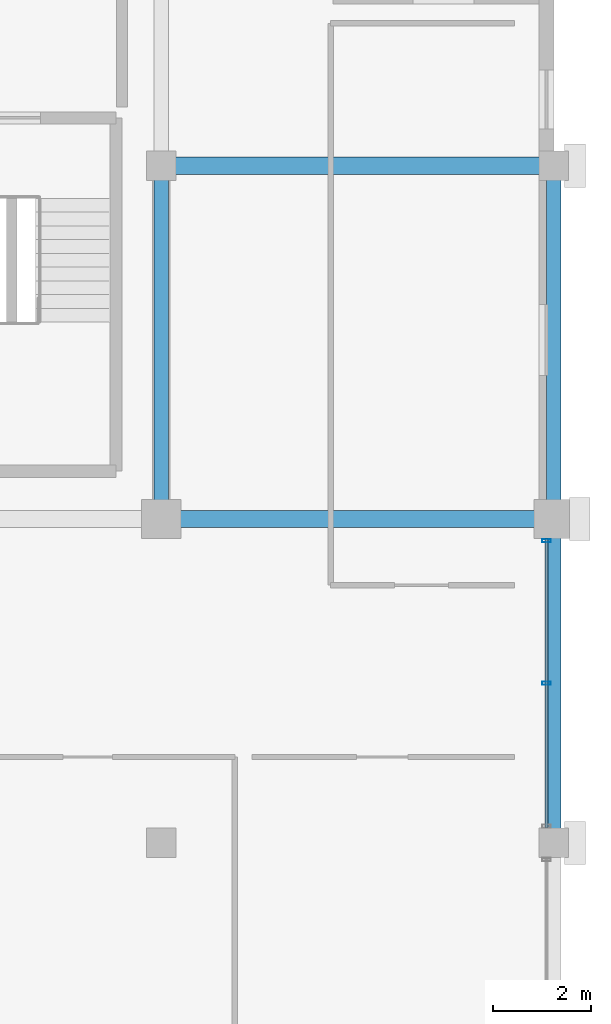
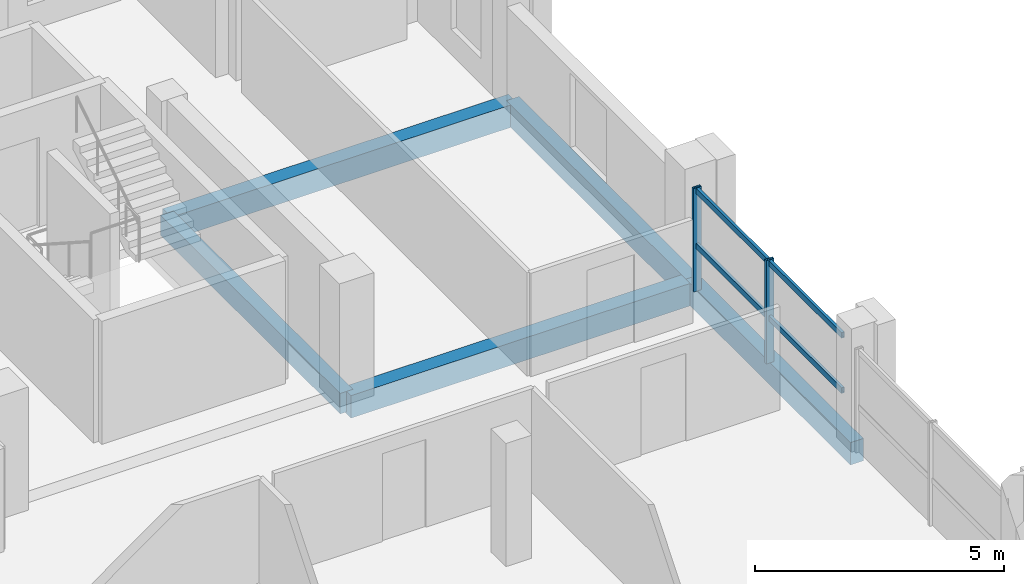
# One storey, part 13 of 24: 5 beams, 4 members, 1 element without a shape of its own.
"""IFC4 building model written with IfcOpenShell, lengths in metres."""

from ifc_helpers import new_model, si_unit, direction, frame, origin, origin_2d, place, context, subcontext, project, spatial, rectangle, hollow_rectangle, extrude, material, material_profile, profile_set, type_object, element, aggregate, save


model = new_model("IFC4")

# Units and contexts
model_context = context("Model", 3, precision=1e-05, world=origin(), true_north=direction((0.0, 1.0)))
body_context = subcontext(model_context, "Body", "Model", "MODEL_VIEW")
ifc_project = project(units=[si_unit("LENGTHUNIT", "METRE"), si_unit("AREAUNIT", "SQUARE_METRE"), si_unit("VOLUMEUNIT", "CUBIC_METRE"), si_unit("PLANEANGLEUNIT", "RADIAN"), si_unit("MASSUNIT", "GRAM", prefix="KILO")], contexts=[model_context])

# Site, building, storey
site_placement = place(None, origin())
site = spatial("IfcSite", under=ifc_project, at=site_placement, CompositionType="ELEMENT")
building_placement = place(site_placement, origin())
building = spatial("IfcBuilding", under=site, at=building_placement, Name="Akrevak Sports Hall", CompositionType="ELEMENT")
storey_placement = place(building_placement, frame((0.0, 0.0, 63.300048828125)))
storey = spatial("IfcBuildingStorey", under=building, at=storey_placement, Name="L16", CompositionType="ELEMENT", Elevation=63.300048828125)

# Curtain wall, members
ifc_material_1 = material(Name="Anodized Bronze Aluminium & Low-E Glass", Category="aluminium")
curtain_wall_type = type_object("IfcCurtainWallType", Name="ARC-CW-TWR-72x30", PredefinedType="NOTDEFINED", material=ifc_material_1)
curtain_wall_placement = place(storey_placement, origin())
curtain_wall = element("IfcCurtainWall", 1, at=curtain_wall_placement, inside=storey, type_object=curtain_wall_type, Name="Curtain Wall CW-L16-E12", PredefinedType="NOTDEFINED")
ifc_material_2 = material(Name="Anodized Bronze Aluminium", Category="aluminium")
ifc_material_profile_1 = material_profile(ifc_material_2, hollow_rectangle(XDim=0.06494140625, YDim=0.179931640625, WallThickness=0.00390625, at=origin_2d()), Name="CWM 65x180", Category="aluminium")
ifc_profile_set_1 = profile_set([ifc_material_profile_1], Name="Anodized Bronze Aluminium")
member_type_1 = type_object("IfcMemberType", Name="ARC-CWM-65x140", PredefinedType="MULLION", material=ifc_profile_set_1)
member_1_placement = place(storey_placement, frame((107.85009765625, 51.85009765625, 0.0), z_axis=(0.0, 0.0, 1.0), x_axis=(0.0, 1.0, 0.0)))
member_1 = element("IfcMember", 2, at=member_1_placement, type_object=member_type_1, Name="Curtain Wall Mullion CW-L16-E12-M2", PredefinedType="MULLION", context=body_context, shape_type="SweptSolid", body=[
    extrude(hollow_rectangle(XDim=0.06494140625, YDim=0.179931640625, WallThickness=0.00390625, at=origin_2d()), origin(), (0.0, 0.0, 1.0), 2.530029296875),
])
member_2_placement = place(storey_placement, frame((107.85009765625, 54.760009765625, 0.0), z_axis=(0.0, 0.0, 1.0), x_axis=(0.0, 1.0, 0.0)))
member_2 = element("IfcMember", 3, at=member_2_placement, type_object=member_type_1, Name="Curtain Wall Mullion CW-L16-E12-M3", PredefinedType="MULLION", context=body_context, shape_type="SweptSolid", body=[
    extrude(hollow_rectangle(XDim=0.06494140625, YDim=0.179931640625, WallThickness=0.00390625, at=origin_2d()), origin(), (0.0, 0.0, 1.0), 2.530029296875),
])
ifc_material_profile_2 = material_profile(ifc_material_2, hollow_rectangle(XDim=0.06494140625, YDim=0.139892578125, WallThickness=0.00390625, at=origin_2d()), Name="CWT 65x140", Category="aluminium")
ifc_profile_set_2 = profile_set([ifc_material_profile_2], Name="Anodized Bronze Aluminium")
member_type_2 = type_object("IfcMemberType", Name="ARC-CWT-65x110", PredefinedType="USERDEFINED", material=ifc_profile_set_2)
member_3_placement = place(storey_placement, frame((107.85009765625, 48.89990234375, 1.099853515625), z_axis=(0.0, 1.0, 0.0), x_axis=(-1.0, 0.0, 0.0)))
member_3 = element("IfcMember", 4, at=member_3_placement, type_object=member_type_2, Name="Curtain Wall Transom CW-L16-E12-T1", ObjectType="TRANSOM", PredefinedType="USERDEFINED", context=body_context, shape_type="SweptSolid", body=[
    extrude(hollow_rectangle(XDim=0.06494140625, YDim=0.139892578125, WallThickness=0.00390625, at=origin_2d()), origin(), (0.0, 0.0, 1.0), 5.900146484375),
])
member_4_placement = place(storey_placement, frame((107.85009765625, 48.89990234375, 2.449951171875), z_axis=(0.0, 1.0, 0.0), x_axis=(-1.0, 0.0, 0.0)))
member_4 = element("IfcMember", 5, at=member_4_placement, type_object=member_type_2, Name="Curtain Wall Transom CW-L16-E12-T2", ObjectType="TRANSOM", PredefinedType="USERDEFINED", context=body_context, shape_type="SweptSolid", body=[
    extrude(hollow_rectangle(XDim=0.06494140625, YDim=0.139892578125, WallThickness=0.00390625, at=origin_2d()), origin(), (0.0, 0.0, 1.0), 5.900146484375),
])
aggregate(curtain_wall, [member_1, member_2, member_3, member_4])

# Beams
ifc_material_3 = material(Name="Concrete C40/50", Category="concrete")
ifc_material_profile_3 = material_profile(ifc_material_3, rectangle(XDim=0.300048828125, YDim=0.5, at=origin_2d()), Name="BM 300x500", Category="concrete")
ifc_profile_set_3 = profile_set([ifc_material_profile_3], Name="Concrete C40/50")
beam_type_1 = type_object("IfcBeamType", Name="STR-BM-RC300x500", PredefinedType="BEAM", material=ifc_profile_set_3)
beam_1_placement = place(storey_placement, frame((100.0, 55.199951171875, -0.25), z_axis=(0.0, 1.0, 0.0), x_axis=(-1.0, 0.0, 0.0)))
element("IfcBeam", 6, at=beam_1_placement, inside=storey, type_object=beam_type_1, Name="Girder 14/I-J (L16)", PredefinedType="BEAM", context=body_context, shape_type="SweptSolid", body=[
    extrude(rectangle(XDim=0.300048828125, YDim=0.5, at=origin_2d()), origin(), (0.0, 0.0, 1.0), 7.199951171875),
])
ifc_material_profile_4 = material_profile(ifc_material_3, rectangle(XDim=0.300048828125, YDim=0.550048828125, at=origin_2d()), Name="BM 300x550", Category="concrete")
ifc_profile_set_4 = profile_set([ifc_material_profile_4], Name="Concrete C40/50")
beam_type_2 = type_object("IfcBeamType", Name="STR-BM-RC300x550", PredefinedType="BEAM", material=ifc_profile_set_4)
beam_2_placement = place(storey_placement, frame((108.0, 48.60009765625, -0.275146484375), z_axis=(0.0, 1.0, 0.0), x_axis=(-1.0, 0.0, 0.0)))
element("IfcBeam", 7, at=beam_2_placement, inside=storey, type_object=beam_type_2, Name="Girder 15/H-I (L16)", PredefinedType="BEAM", context=body_context, shape_type="SweptSolid", body=[
    extrude(rectangle(XDim=0.300048828125, YDim=0.550048828125, at=origin_2d()), origin(), (0.0, 0.0, 1.0), 6.599853515625),
])
beam_3_placement = place(storey_placement, frame((108.0, 55.199951171875, -0.275146484375), z_axis=(0.0, 1.0, 0.0), x_axis=(-1.0, 0.0, 0.0)))
element("IfcBeam", 8, at=beam_3_placement, inside=storey, type_object=beam_type_2, Name="Girder 15/I-J (L16)", PredefinedType="BEAM", context=body_context, shape_type="SweptSolid", body=[
    extrude(rectangle(XDim=0.300048828125, YDim=0.550048828125, at=origin_2d()), origin(), (0.0, 0.0, 1.0), 7.199951171875),
])
ifc_material_profile_5 = material_profile(ifc_material_3, rectangle(XDim=0.35009765625, YDim=0.550048828125, at=origin_2d()), Name="BM 350x550", Category="concrete")
ifc_profile_set_5 = profile_set([ifc_material_profile_5], Name="Concrete C40/50")
beam_type_3 = type_object("IfcBeamType", Name="STR-BM-RC350x550", PredefinedType="BEAM", material=ifc_profile_set_5)
for number, where, z_axis, x_axis, name in (
    (9, (100.0, 55.199951171875, -0.275146484375), (1.0, 0.0, 0.0), (0.0, 1.0, 0.0), "Girder I/14-15 (L16)"),
    (10, (100.0, 62.39990234375, -0.275146484375), (1.0, 0.0, 0.0), (0.0, 1.0, 0.0), "Girder J/14-15 (L16)"),
):
    element("IfcBeam", number, at=place(storey_placement, frame(where, z_axis=z_axis, x_axis=x_axis)), inside=storey, type_object=beam_type_3, Name=name, PredefinedType="BEAM", context=body_context, shape_type="SweptSolid", body=[
        extrude(rectangle(XDim=0.35009765625, YDim=0.550048828125, at=origin_2d()), origin(), (0.0, 0.0, 1.0), 8.0),
    ])

save(model, "model.ifc")
